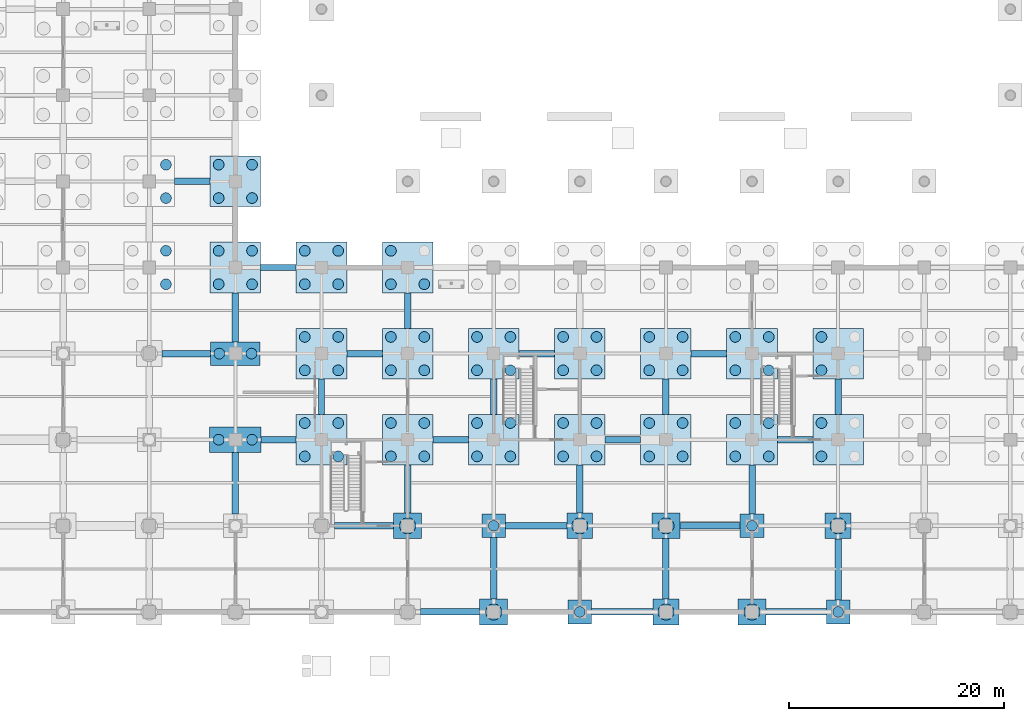
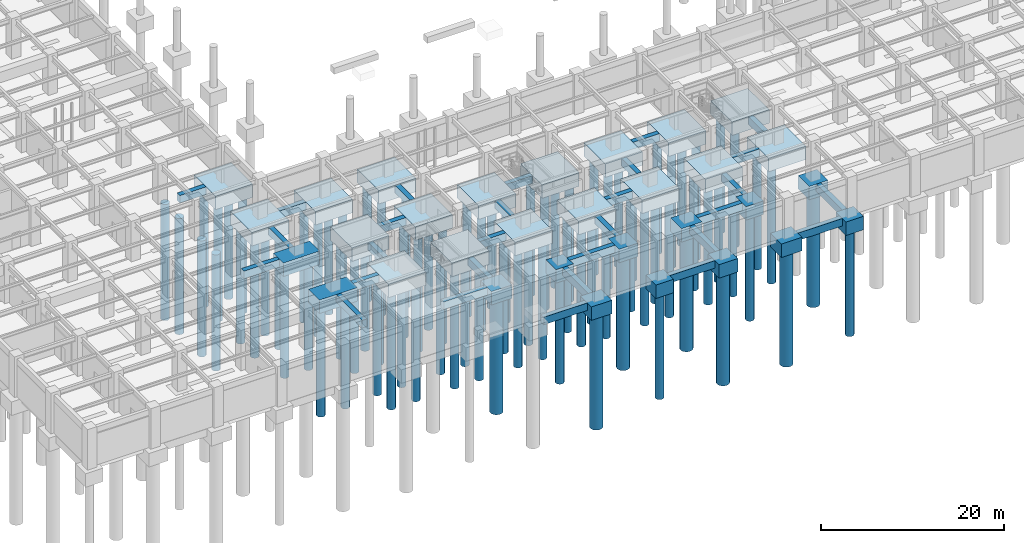
# One storey, part 3 of 97: 86 piles, 60 footings.
"""IFC4 building model written with IfcOpenShell, lengths in metres."""

from ifc_helpers import new_model, si_unit, direction, frame, origin, origin_2d, place, context, subcontext, project, spatial, rectangle, circle, extrude, material, layer, layer_set, material_profile, profile_set, type_object, element, save


model = new_model("IFC4")

# Units and contexts
model_context = context("Model", 3, precision=1e-05, world=origin(), true_north=direction((0.0, 1.0)))
body_context = subcontext(model_context, "Body", "Model", "MODEL_VIEW")
ifc_project = project(units=[si_unit("LENGTHUNIT", "METRE"), si_unit("AREAUNIT", "SQUARE_METRE"), si_unit("VOLUMEUNIT", "CUBIC_METRE"), si_unit("PLANEANGLEUNIT", "RADIAN"), si_unit("MASSUNIT", "GRAM", prefix="KILO")], contexts=[model_context])

# Site, building, storey
site_placement = place(None, origin())
site = spatial("IfcSite", under=ifc_project, at=site_placement, CompositionType="ELEMENT")
building_placement = place(site_placement, origin())
building = spatial("IfcBuilding", under=site, at=building_placement, Name="Haebicheon Civic Stadium", CompositionType="ELEMENT")
storey_placement = place(building_placement, frame((0.0, 0.0, -5.39990234375)))
storey = spatial("IfcBuildingStorey", under=building, at=storey_placement, Name="B1", CompositionType="ELEMENT", Elevation=-5.39990234375)

# Footings
ifc_material_1 = material(Name="Concrete C40/50", Category="concrete")
ifc_layer_1 = layer(ifc_material_1, 1.0, Name="Concrete C40/50")
ifc_layer_set_1 = layer_set([ifc_layer_1], Name="Concrete C40/50")
footing_type_1 = type_object("IfcFootingType", Name="FB-3250x600", PredefinedType="FOOTING_BEAM", material=ifc_layer_set_1)
footing_1_placement = place(storey_placement, frame((68.02490234375, 16.0, -1.0), z_axis=(0.0, 0.0, 1.0), x_axis=(1.0, 0.0, 0.0)))
element("IfcFooting", 1, at=footing_1_placement, inside=storey, type_object=footing_type_1, material=ifc_layer_set_1, Name="Ground tie beam X 08-02", PredefinedType="FOOTING_BEAM", context=body_context, shape_type="SweptSolid", body=[
    extrude(rectangle(XDim=3.25, YDim=0.60009765625, at=origin_2d()), origin(), (0.0, 0.0, 1.0), 1.0),
])
ifc_material_2 = material(Name="Concrete C40/50", Category="concrete")
ifc_layer_2 = layer(ifc_material_2, 1.0, Name="Concrete C40/50")
ifc_layer_set_2 = layer_set([ifc_layer_2], Name="Concrete C40/50")
footing_type_2 = type_object("IfcFootingType", Name="FB-3300x600", PredefinedType="FOOTING_BEAM", material=ifc_layer_set_2)
for number, where, z_axis, x_axis, name in (
    (2, (60.0, 40.0, -1.0), (0.0, 0.0, 1.0), (1.0, 0.0, 0.0), "Ground tie beam X 07-05"),
    (3, (68.0, 32.0, -1.0), (0.0, 0.0, 1.0), (1.0, 0.0, 0.0), "Ground tie beam X 08-04"),
    (4, (72.0, 20.0, -1.0), (0.0, 0.0, 1.0), (0.0, 1.0, 0.0), "Ground tie beam Y 09-02"),
    (5, (76.0, 24.0, -1.0), (0.0, 0.0, 1.0), (1.0, 0.0, 0.0), "Ground tie beam X 09-03"),
    (6, (84.0, 16.0, -1.0), (0.0, 0.0, 1.0), (1.0, 0.0, 0.0), "Ground tie beam X 10-02"),
    (7, (80.0, 28.0, -1.0), (0.0, 0.0, 1.0), (0.0, 1.0, 0.0), "Ground tie beam Y 10-03"),
    (8, (88.0, 20.0, -1.0), (0.0, 0.0, 1.0), (0.0, 1.0, 0.0), "Ground tie beam Y 11-02"),
    (9, (92.0, 24.0, -1.0), (0.0, 0.0, 1.0), (1.0, 0.0, 0.0), "Ground tie beam X 11-03"),
    (10, (100.0, 16.0, -1.0), (0.0, 0.0, 1.0), (1.0, 0.0, 0.0), "Ground tie beam X 12-02"),
    (11, (104.0, 20.0, -1.0), (0.0, 0.0, 1.0), (0.0, 1.0, 0.0), "Ground tie beam Y 13-02"),
    (12, (108.0, 24.0, -1.0), (0.0, 0.0, 1.0), (1.0, 0.0, 0.0), "Ground tie beam X 13-03"),
    (13, (116.0, 16.0, -1.0), (0.0, 0.0, 1.0), (1.0, 0.0, 0.0), "Ground tie beam X 14-02"),
    (14, (120.0, 20.0, -1.0), (0.0, 0.0, 1.0), (0.0, 1.0, 0.0), "Ground tie beam Y 15-02"),
):
    element("IfcFooting", number, at=place(storey_placement, frame(where, z_axis=z_axis, x_axis=x_axis)), inside=storey, type_object=footing_type_2, material=ifc_layer_set_2, Name=name, PredefinedType="FOOTING_BEAM", context=body_context, shape_type="SweptSolid", body=[
        extrude(rectangle(XDim=3.300048828125, YDim=0.60009765625, at=origin_2d()), origin(), (0.0, 0.0, 1.0), 1.0),
    ])
ifc_material_3 = material(Name="Concrete C40/50", Category="concrete")
ifc_layer_3 = layer(ifc_material_3, 1.0, Name="Concrete C40/50")
ifc_layer_set_3 = layer_set([ifc_layer_3], Name="Concrete C40/50")
footing_type_3 = type_object("IfcFootingType", Name="FB-4450x600", PredefinedType="FOOTING_BEAM", material=ifc_layer_set_3)
for number, where, z_axis, x_axis, name in (
    (15, (80.0, 11.425048828125, -1.0), (0.0, 0.0, 1.0), (0.0, 1.0, 0.0), "Ground tie beam Y 10-01"),
    (16, (96.0, 11.425048828125, -1.0), (0.0, 0.0, 1.0), (0.0, 1.0, 0.0), "Ground tie beam Y 12-01"),
):
    element("IfcFooting", number, at=place(storey_placement, frame(where, z_axis=z_axis, x_axis=x_axis)), inside=storey, type_object=footing_type_3, material=ifc_layer_set_3, Name=name, PredefinedType="FOOTING_BEAM", context=body_context, shape_type="SweptSolid", body=[
        extrude(rectangle(XDim=4.449951171875, YDim=0.60009765625, at=origin_2d()), origin(), (0.0, 0.0, 1.0), 1.0),
    ])
ifc_material_4 = material(Name="Concrete C40/50", Category="concrete")
ifc_layer_4 = layer(ifc_material_4, 1.0, Name="Concrete C40/50")
ifc_layer_set_4 = layer_set([ifc_layer_4], Name="Concrete C40/50")
footing_type_4 = type_object("IfcFootingType", Name="FB-4500x600", PredefinedType="FOOTING_BEAM", material=ifc_layer_set_4)
footing_2_placement = place(storey_placement, frame((59.449951171875, 24.0, -1.0), z_axis=(0.0, 0.0, 1.0), x_axis=(1.0, 0.0, 0.0)))
element("IfcFooting", 17, at=footing_2_placement, inside=storey, type_object=footing_type_4, material=ifc_layer_set_4, Name="Ground tie beam X 07-03", PredefinedType="FOOTING_BEAM", context=body_context, shape_type="SweptSolid", body=[
    extrude(rectangle(XDim=4.5, YDim=0.60009765625, at=origin_2d()), origin(), (0.0, 0.0, 1.0), 1.0),
])
ifc_material_5 = material(Name="Concrete C40/50", Category="concrete")
ifc_layer_5 = layer(ifc_material_5, 1.0, Name="Concrete C40/50")
ifc_layer_set_5 = layer_set([ifc_layer_5], Name="Concrete C40/50")
footing_type_5 = type_object("IfcFootingType", Name="FB-4550x600", PredefinedType="FOOTING_BEAM", material=ifc_layer_set_5)
for number, where, z_axis, x_axis, name in (
    (18, (64.0, 27.375, -1.0), (0.0, 0.0, 1.0), (0.0, 1.0, 0.0), "Ground tie beam Y 08-03"),
    (19, (112.0, 11.375, -1.0), (0.0, 0.0, 1.0), (0.0, 1.0, 0.0), "Ground tie beam Y 14-01"),
):
    element("IfcFooting", number, at=place(storey_placement, frame(where, z_axis=z_axis, x_axis=x_axis)), inside=storey, type_object=footing_type_5, material=ifc_layer_set_5, Name=name, PredefinedType="FOOTING_BEAM", context=body_context, shape_type="SweptSolid", body=[
        extrude(rectangle(XDim=4.550048828125, YDim=0.60009765625, at=origin_2d()), origin(), (0.0, 0.0, 1.0), 1.0),
    ])
ifc_material_6 = material(Name="Concrete C40/50", Category="concrete")
ifc_layer_6 = layer(ifc_material_6, 1.0, Name="Concrete C40/50")
ifc_layer_set_6 = layer_set([ifc_layer_6], Name="Concrete C40/50")
footing_type_6 = type_object("IfcFootingType", Name="FB-5500x600", PredefinedType="FOOTING_BEAM", material=ifc_layer_set_6)
for number, where, z_axis, x_axis, name in (
    (20, (75.949951171875, 8.0, -1.0), (0.0, 0.0, 1.0), (1.0, 0.0, 0.0), "Ground tie beam X 09-01"),
    (21, (83.949951171875, 0.0, -1.0), (0.0, 0.0, 1.0), (1.0, 0.0, 0.0), "Ground tie beam X 10-00"),
):
    element("IfcFooting", number, at=place(storey_placement, frame(where, z_axis=z_axis, x_axis=x_axis)), inside=storey, type_object=footing_type_6, material=ifc_layer_set_6, Name=name, PredefinedType="FOOTING_BEAM", context=body_context, shape_type="SweptSolid", body=[
        extrude(rectangle(XDim=5.5, YDim=0.60009765625, at=origin_2d()), origin(), (0.0, 0.0, 1.0), 1.0),
    ])
ifc_material_7 = material(Name="Concrete C40/50", Category="concrete")
ifc_layer_7 = layer(ifc_material_7, 1.0, Name="Concrete C40/50")
ifc_layer_set_7 = layer_set([ifc_layer_7], Name="Concrete C40/50")
footing_type_7 = type_object("IfcFootingType", Name="FB-5600x600", PredefinedType="FOOTING_BEAM", material=ifc_layer_set_7)
for number, where, z_axis, x_axis, name in (
    (22, (104.0, 4.0, -1.0), (0.0, 0.0, 1.0), (0.0, 1.0, 0.0), "Ground tie beam Y 13-00"),
    (23, (108.10009765625, 8.0, -1.0), (0.0, 0.0, 1.0), (1.0, 0.0, 0.0), "Ground tie beam X 13-01"),
    (24, (116.10009765625, 0.0, -1.0), (0.0, 0.0, 1.0), (1.0, 0.0, 0.0), "Ground tie beam X 14-00"),
):
    element("IfcFooting", number, at=place(storey_placement, frame(where, z_axis=z_axis, x_axis=x_axis)), inside=storey, type_object=footing_type_7, material=ifc_layer_set_7, Name=name, PredefinedType="FOOTING_BEAM", context=body_context, shape_type="SweptSolid", body=[
        extrude(rectangle(XDim=5.60009765625, YDim=0.60009765625, at=origin_2d()), origin(), (0.0, 0.0, 1.0), 1.0),
    ])
ifc_material_8 = material(Name="Concrete C40/50", Category="concrete")
ifc_layer_8 = layer(ifc_material_8, 1.0, Name="Concrete C40/50")
ifc_layer_set_8 = layer_set([ifc_layer_8], Name="Concrete C40/50")
footing_type_8 = type_object("IfcFootingType", Name="FB-5700x600", PredefinedType="FOOTING_BEAM", material=ifc_layer_set_8)
for number, where, z_axis, x_axis, name in (
    (25, (64.0, 11.949951171875, -1.0), (0.0, 0.0, 1.0), (0.0, 1.0, 0.0), "Ground tie beam Y 08-01"),
    (26, (88.0, 4.050048828125, -1.0), (0.0, 0.0, 1.0), (0.0, 1.0, 0.0), "Ground tie beam Y 11-00"),
    (27, (91.949951171875, 8.0, -1.0), (0.0, 0.0, 1.0), (1.0, 0.0, 0.0), "Ground tie beam X 11-01"),
    (28, (99.949951171875, 0.0, -1.0), (0.0, 0.0, 1.0), (1.0, 0.0, 0.0), "Ground tie beam X 12-00"),
    (29, (120.0, 3.949951171875, -1.0), (0.0, 0.0, 1.0), (0.0, 1.0, 0.0), "Ground tie beam Y 15-00"),
):
    element("IfcFooting", number, at=place(storey_placement, frame(where, z_axis=z_axis, x_axis=x_axis)), inside=storey, type_object=footing_type_8, material=ifc_layer_set_8, Name=name, PredefinedType="FOOTING_BEAM", context=body_context, shape_type="SweptSolid", body=[
        extrude(rectangle(XDim=5.699951171875, YDim=0.60009765625, at=origin_2d()), origin(), (0.0, 0.0, 1.0), 1.0),
    ])
ifc_material_9 = material(Name="Concrete C40/50", Category="concrete")
ifc_layer_9 = layer(ifc_material_9, 1.800048828125, Name="Concrete C40/50")
ifc_layer_set_9 = layer_set([ifc_layer_9], Name="Concrete C40/50")
footing_type_9 = type_object("IfcFootingType", Name="PC-1P-2200", PredefinedType="PILE_CAP", material=ifc_layer_set_9)
for number, where, z_axis, x_axis, name in (
    (30, (88.0, 8.0, -1.80029296875), (0.0, 0.0, 1.0), (1.0, 0.0, 0.0), "Pile cap FT-PC-11-01"),
    (31, (96.0, 0.0, -1.80029296875), (0.0, 0.0, 1.0), (1.0, 0.0, 0.0), "Pile cap FT-PC-12-00"),
    (32, (112.0, 8.0, -1.80029296875), (0.0, 0.0, 1.0), (1.0, 0.0, 0.0), "Pile cap FT-PC-14-01"),
    (33, (120.0, 0.0, -1.80029296875), (0.0, 0.0, 1.0), (1.0, 0.0, 0.0), "Pile cap FT-PC-15-00"),
):
    element("IfcFooting", number, at=place(storey_placement, frame(where, z_axis=z_axis, x_axis=x_axis)), inside=storey, type_object=footing_type_9, material=ifc_layer_set_9, Name=name, PredefinedType="PILE_CAP", context=body_context, shape_type="SweptSolid", body=[
        extrude(rectangle(XDim=2.199951171875, YDim=2.199951171875, at=origin_2d()), origin(), (0.0, 0.0, 1.0), 1.800048828125),
    ])
ifc_material_10 = material(Name="Concrete C40/50", Category="concrete")
ifc_layer_10 = layer(ifc_material_10, 1.800048828125, Name="Concrete C40/50")
ifc_layer_set_10 = layer_set([ifc_layer_10], Name="Concrete C40/50")
footing_type_10 = type_object("IfcFootingType", Name="PC-1P-2400", PredefinedType="PILE_CAP", material=ifc_layer_set_10)
for number, where, z_axis, x_axis, name in (
    (34, (96.0, 8.0, -1.80029296875), (0.0, 0.0, 1.0), (1.0, 0.0, 0.0), "Pile cap FT-PC-12-01"),
    (35, (104.0, 0.0, -1.80029296875), (0.0, 0.0, 1.0), (1.0, 0.0, 0.0), "Pile cap FT-PC-13-00"),
    (36, (120.0, 8.0, -1.80029296875), (0.0, 0.0, 1.0), (1.0, 0.0, 0.0), "Pile cap FT-PC-15-01"),
):
    element("IfcFooting", number, at=place(storey_placement, frame(where, z_axis=z_axis, x_axis=x_axis)), inside=storey, type_object=footing_type_10, material=ifc_layer_set_10, Name=name, PredefinedType="PILE_CAP", context=body_context, shape_type="SweptSolid", body=[
        extrude(rectangle(XDim=2.39990234375, YDim=2.39990234375, at=origin_2d()), origin(), (0.0, 0.0, 1.0), 1.800048828125),
    ])
ifc_material_11 = material(Name="Concrete C40/50", Category="concrete")
ifc_layer_11 = layer(ifc_material_11, 1.800048828125, Name="Concrete C40/50")
ifc_layer_set_11 = layer_set([ifc_layer_11], Name="Concrete C40/50")
footing_type_11 = type_object("IfcFootingType", Name="PC-1P-2600", PredefinedType="PILE_CAP", material=ifc_layer_set_11)
for number, where, z_axis, x_axis, name in (
    (37, (80.0, 8.0, -1.80029296875), (0.0, 0.0, 1.0), (1.0, 0.0, 0.0), "Pile cap FT-PC-10-01"),
    (38, (88.0, 0.0, -1.80029296875), (0.0, 0.0, 1.0), (1.0, 0.0, 0.0), "Pile cap FT-PC-11-00"),
    (39, (104.0, 8.0, -1.80029296875), (0.0, 0.0, 1.0), (1.0, 0.0, 0.0), "Pile cap FT-PC-13-01"),
    (40, (112.0, 0.0, -1.80029296875), (0.0, 0.0, 1.0), (1.0, 0.0, 0.0), "Pile cap FT-PC-14-00"),
):
    element("IfcFooting", number, at=place(storey_placement, frame(where, z_axis=z_axis, x_axis=x_axis)), inside=storey, type_object=footing_type_11, material=ifc_layer_set_11, Name=name, PredefinedType="PILE_CAP", context=body_context, shape_type="SweptSolid", body=[
        extrude(rectangle(XDim=2.60009765625, YDim=2.39990234375, at=origin_2d()), origin(), (0.0, 0.0, 1.0), 1.800048828125),
    ])
ifc_material_12 = material(Name="Concrete C40/50", Category="concrete")
ifc_layer_12 = layer(ifc_material_12, 1.800048828125, Name="Concrete C40/50")
ifc_layer_set_12 = layer_set([ifc_layer_12], Name="Concrete C40/50")
footing_type_12 = type_object("IfcFootingType", Name="PC-2P-4600", PredefinedType="PILE_CAP", material=ifc_layer_set_12)
footing_3_placement = place(storey_placement, frame((64.0, 24.0, -1.80029296875), z_axis=(0.0, 0.0, 1.0), x_axis=(1.0, 0.0, 0.0)))
element("IfcFooting", 41, at=footing_3_placement, inside=storey, type_object=footing_type_12, material=ifc_layer_set_12, Name="Pile cap FT-PC-08-03", PredefinedType="PILE_CAP", context=body_context, shape_type="SweptSolid", body=[
    extrude(rectangle(XDim=4.60009765625, YDim=2.199951171875, at=origin_2d()), origin(), (0.0, 0.0, 1.0), 1.800048828125),
])
ifc_material_13 = material(Name="Concrete C40/50", Category="concrete")
ifc_layer_13 = layer(ifc_material_13, 1.800048828125, Name="Concrete C40/50")
ifc_layer_set_13 = layer_set([ifc_layer_13], Name="Concrete C40/50")
footing_type_13 = type_object("IfcFootingType", Name="PC-2P-4800", PredefinedType="PILE_CAP", material=ifc_layer_set_13)
footing_4_placement = place(storey_placement, frame((64.0, 16.0, -1.80029296875), z_axis=(0.0, 0.0, 1.0), x_axis=(1.0, 0.0, 0.0)))
element("IfcFooting", 42, at=footing_4_placement, inside=storey, type_object=footing_type_13, material=ifc_layer_set_13, Name="Pile cap FT-PC-08-02", PredefinedType="PILE_CAP", context=body_context, shape_type="SweptSolid", body=[
    extrude(rectangle(XDim=4.800048828125, YDim=2.39990234375, at=origin_2d()), origin(), (0.0, 0.0, 1.0), 1.800048828125),
])
ifc_material_14 = material(Name="Concrete C40/50", Category="concrete")
ifc_layer_14 = layer(ifc_material_14, 1.800048828125, Name="Concrete C40/50")
ifc_layer_set_14 = layer_set([ifc_layer_14], Name="Concrete C40/50")
footing_type_14 = type_object("IfcFootingType", Name="PC-4P-4700", PredefinedType="PILE_CAP", material=ifc_layer_set_14)
for number, where, z_axis, x_axis, name in (
    (43, (64.0, 32.0, -1.80029296875), (0.0, 0.0, 1.0), (1.0, 0.0, 0.0), "Pile cap FT-PC-08-04"),
    (44, (64.0, 40.0, -1.80029296875), (0.0, 0.0, 1.0), (1.0, 0.0, 0.0), "Pile cap FT-PC-08-05"),
    (45, (72.0, 16.0, -1.80029296875), (0.0, 0.0, 1.0), (1.0, 0.0, 0.0), "Pile cap FT-PC-09-02"),
    (46, (72.0, 24.0, -1.80029296875), (0.0, 0.0, 1.0), (1.0, 0.0, 0.0), "Pile cap FT-PC-09-03"),
    (47, (72.0, 32.0, -1.80029296875), (0.0, 0.0, 1.0), (1.0, 0.0, 0.0), "Pile cap FT-PC-09-04"),
    (48, (80.0, 16.0, -1.80029296875), (0.0, 0.0, 1.0), (1.0, 0.0, 0.0), "Pile cap FT-PC-10-02"),
    (49, (80.0, 24.0, -1.80029296875), (0.0, 0.0, 1.0), (1.0, 0.0, 0.0), "Pile cap FT-PC-10-03"),
    (50, (80.0, 32.0, -1.80029296875), (0.0, 0.0, 1.0), (1.0, 0.0, 0.0), "Pile cap FT-PC-10-04"),
    (51, (88.0, 16.0, -1.80029296875), (0.0, 0.0, 1.0), (1.0, 0.0, 0.0), "Pile cap FT-PC-11-02"),
    (52, (88.0, 24.0, -1.80029296875), (0.0, 0.0, 1.0), (1.0, 0.0, 0.0), "Pile cap FT-PC-11-03"),
    (53, (96.0, 16.0, -1.80029296875), (0.0, 0.0, 1.0), (1.0, 0.0, 0.0), "Pile cap FT-PC-12-02"),
    (54, (96.0, 24.0, -1.80029296875), (0.0, 0.0, 1.0), (1.0, 0.0, 0.0), "Pile cap FT-PC-12-03"),
    (55, (104.0, 16.0, -1.80029296875), (0.0, 0.0, 1.0), (1.0, 0.0, 0.0), "Pile cap FT-PC-13-02"),
    (56, (104.0, 24.0, -1.80029296875), (0.0, 0.0, 1.0), (1.0, 0.0, 0.0), "Pile cap FT-PC-13-03"),
    (57, (112.0, 16.0, -1.80029296875), (0.0, 0.0, 1.0), (1.0, 0.0, 0.0), "Pile cap FT-PC-14-02"),
    (58, (112.0, 24.0, -1.80029296875), (0.0, 0.0, 1.0), (1.0, 0.0, 0.0), "Pile cap FT-PC-14-03"),
    (59, (120.0, 16.0, -1.80029296875), (0.0, 0.0, 1.0), (1.0, 0.0, 0.0), "Pile cap FT-PC-15-02"),
    (60, (120.0, 24.0, -1.80029296875), (0.0, 0.0, 1.0), (1.0, 0.0, 0.0), "Pile cap FT-PC-15-03"),
):
    element("IfcFooting", number, at=place(storey_placement, frame(where, z_axis=z_axis, x_axis=x_axis)), inside=storey, type_object=footing_type_14, material=ifc_layer_set_14, Name=name, PredefinedType="PILE_CAP", context=body_context, shape_type="SweptSolid", body=[
        extrude(rectangle(XDim=4.699951171875, YDim=4.699951171875, at=origin_2d()), origin(), (0.0, 0.0, 1.0), 1.800048828125),
    ])

# Piles
ifc_material_15 = material(Name="Concrete C40/50", Category="concrete")
ifc_material_profile_1 = material_profile(ifc_material_15, circle(Radius=0.5, at=origin_2d()), Name="PILE-D1000")
ifc_profile_set_1 = profile_set([ifc_material_profile_1], Name="Concrete C40/50")
pile_type_1 = type_object("IfcPileType", Name="PL-D1000", PredefinedType="BORED", material=ifc_profile_set_1)
for number, where, z_axis, x_axis, name in (
    (61, (57.550048828125, 30.449951171875, -1.7001953125), (0.0, 0.0, -1.0), (1.0, 0.0, 0.0), "Bored pile 07-04-2"),
    (62, (57.550048828125, 33.550048828125, -1.7001953125), (0.0, 0.0, -1.0), (1.0, 0.0, 0.0), "Bored pile 07-04-4"),
    (63, (57.550048828125, 38.449951171875, -1.7001953125), (0.0, 0.0, -1.0), (1.0, 0.0, 0.0), "Bored pile 07-05-2"),
    (64, (57.550048828125, 41.550048828125, -1.7001953125), (0.0, 0.0, -1.0), (1.0, 0.0, 0.0), "Bored pile 07-05-4"),
):
    element("IfcPile", number, at=place(storey_placement, frame(where, z_axis=z_axis, x_axis=x_axis)), inside=storey, type_object=pile_type_1, material=ifc_profile_set_1, Name=name, PredefinedType="BORED", context=body_context, shape_type="SweptSolid", body=[
        extrude(circle(Radius=0.5, at=origin_2d()), origin(), (0.0, 0.0, 1.0), 15.5),
    ])
for number, where, z_axis, x_axis, name in (
    (65, (62.449951171875, 16.0, -1.7001953125), (0.0, 0.0, -1.0), (1.0, 0.0, 0.0), "Bored pile 08-02-1"),
    (66, (65.550048828125, 16.0, -1.7001953125), (0.0, 0.0, -1.0), (1.0, 0.0, 0.0), "Bored pile 08-02-2"),
):
    element("IfcPile", number, at=place(storey_placement, frame(where, z_axis=z_axis, x_axis=x_axis)), inside=storey, type_object=pile_type_1, material=ifc_profile_set_1, Name=name, PredefinedType="BORED", context=body_context, shape_type="SweptSolid", body=[
        extrude(circle(Radius=0.5, at=origin_2d()), origin(), (0.0, 0.0, 1.0), 14.60009765625),
    ])
for number, where, z_axis, x_axis, name in (
    (67, (62.5, 24.0, -1.7001953125), (0.0, 0.0, -1.0), (1.0, 0.0, 0.0), "Bored pile 08-03-1"),
    (68, (65.5, 24.0, -1.7001953125), (0.0, 0.0, -1.0), (1.0, 0.0, 0.0), "Bored pile 08-03-2"),
):
    element("IfcPile", number, at=place(storey_placement, frame(where, z_axis=z_axis, x_axis=x_axis)), inside=storey, type_object=pile_type_1, material=ifc_profile_set_1, Name=name, PredefinedType="BORED", context=body_context, shape_type="SweptSolid", body=[
        extrude(circle(Radius=0.5, at=origin_2d()), origin(), (0.0, 0.0, 1.0), 14.300048828125),
    ])
for number, where, z_axis, x_axis, name in (
    (69, (62.449951171875, 30.449951171875, -1.7001953125), (0.0, 0.0, -1.0), (1.0, 0.0, 0.0), "Bored pile 08-04-1"),
    (70, (65.550048828125, 30.449951171875, -1.7001953125), (0.0, 0.0, -1.0), (1.0, 0.0, 0.0), "Bored pile 08-04-2"),
    (71, (62.449951171875, 33.550048828125, -1.7001953125), (0.0, 0.0, -1.0), (1.0, 0.0, 0.0), "Bored pile 08-04-3"),
    (72, (65.550048828125, 33.550048828125, -1.7001953125), (0.0, 0.0, -1.0), (1.0, 0.0, 0.0), "Bored pile 08-04-4"),
    (73, (62.449951171875, 38.449951171875, -1.7001953125), (0.0, 0.0, -1.0), (1.0, 0.0, 0.0), "Bored pile 08-05-1"),
    (74, (65.550048828125, 38.449951171875, -1.7001953125), (0.0, 0.0, -1.0), (1.0, 0.0, 0.0), "Bored pile 08-05-2"),
    (75, (62.449951171875, 41.550048828125, -1.7001953125), (0.0, 0.0, -1.0), (1.0, 0.0, 0.0), "Bored pile 08-05-3"),
    (76, (65.550048828125, 41.550048828125, -1.7001953125), (0.0, 0.0, -1.0), (1.0, 0.0, 0.0), "Bored pile 08-05-4"),
    (77, (70.449951171875, 14.449951171875, -1.7001953125), (0.0, 0.0, -1.0), (1.0, 0.0, 0.0), "Bored pile 09-02-1"),
    (78, (73.550048828125, 14.449951171875, -1.7001953125), (0.0, 0.0, -1.0), (1.0, 0.0, 0.0), "Bored pile 09-02-2"),
    (79, (70.449951171875, 17.550048828125, -1.7001953125), (0.0, 0.0, -1.0), (1.0, 0.0, 0.0), "Bored pile 09-02-3"),
    (80, (73.550048828125, 17.550048828125, -1.7001953125), (0.0, 0.0, -1.0), (1.0, 0.0, 0.0), "Bored pile 09-02-4"),
    (81, (70.449951171875, 22.449951171875, -1.7001953125), (0.0, 0.0, -1.0), (1.0, 0.0, 0.0), "Bored pile 09-03-1"),
    (82, (73.550048828125, 22.449951171875, -1.7001953125), (0.0, 0.0, -1.0), (1.0, 0.0, 0.0), "Bored pile 09-03-2"),
    (83, (70.449951171875, 25.550048828125, -1.7001953125), (0.0, 0.0, -1.0), (1.0, 0.0, 0.0), "Bored pile 09-03-3"),
    (84, (73.550048828125, 25.550048828125, -1.7001953125), (0.0, 0.0, -1.0), (1.0, 0.0, 0.0), "Bored pile 09-03-4"),
    (85, (70.449951171875, 30.449951171875, -1.7001953125), (0.0, 0.0, -1.0), (1.0, 0.0, 0.0), "Bored pile 09-04-1"),
    (86, (73.550048828125, 30.449951171875, -1.7001953125), (0.0, 0.0, -1.0), (1.0, 0.0, 0.0), "Bored pile 09-04-2"),
    (87, (70.449951171875, 33.550048828125, -1.7001953125), (0.0, 0.0, -1.0), (1.0, 0.0, 0.0), "Bored pile 09-04-3"),
    (88, (73.550048828125, 33.550048828125, -1.7001953125), (0.0, 0.0, -1.0), (1.0, 0.0, 0.0), "Bored pile 09-04-4"),
    (89, (78.449951171875, 14.449951171875, -1.7001953125), (0.0, 0.0, -1.0), (1.0, 0.0, 0.0), "Bored pile 10-02-1"),
    (90, (81.550048828125, 14.449951171875, -1.7001953125), (0.0, 0.0, -1.0), (1.0, 0.0, 0.0), "Bored pile 10-02-2"),
    (91, (78.449951171875, 17.550048828125, -1.7001953125), (0.0, 0.0, -1.0), (1.0, 0.0, 0.0), "Bored pile 10-02-3"),
    (92, (81.550048828125, 17.550048828125, -1.7001953125), (0.0, 0.0, -1.0), (1.0, 0.0, 0.0), "Bored pile 10-02-4"),
    (93, (78.449951171875, 22.449951171875, -1.7001953125), (0.0, 0.0, -1.0), (1.0, 0.0, 0.0), "Bored pile 10-03-1"),
    (94, (81.550048828125, 22.449951171875, -1.7001953125), (0.0, 0.0, -1.0), (1.0, 0.0, 0.0), "Bored pile 10-03-2"),
    (95, (78.449951171875, 25.550048828125, -1.7001953125), (0.0, 0.0, -1.0), (1.0, 0.0, 0.0), "Bored pile 10-03-3"),
    (96, (81.550048828125, 25.550048828125, -1.7001953125), (0.0, 0.0, -1.0), (1.0, 0.0, 0.0), "Bored pile 10-03-4"),
    (97, (78.449951171875, 30.449951171875, -1.7001953125), (0.0, 0.0, -1.0), (1.0, 0.0, 0.0), "Bored pile 10-04-1"),
    (98, (81.550048828125, 30.449951171875, -1.7001953125), (0.0, 0.0, -1.0), (1.0, 0.0, 0.0), "Bored pile 10-04-2"),
    (99, (78.449951171875, 33.550048828125, -1.7001953125), (0.0, 0.0, -1.0), (1.0, 0.0, 0.0), "Bored pile 10-04-3"),
):
    element("IfcPile", number, at=place(storey_placement, frame(where, z_axis=z_axis, x_axis=x_axis)), inside=storey, type_object=pile_type_1, material=ifc_profile_set_1, Name=name, PredefinedType="BORED", context=body_context, shape_type="SweptSolid", body=[
        extrude(circle(Radius=0.5, at=origin_2d()), origin(), (0.0, 0.0, 1.0), 15.5),
    ])
pile_1_placement = place(storey_placement, frame((88.0, 8.0, -1.7001953125), z_axis=(0.0, 0.0, -1.0), x_axis=(1.0, 0.0, 0.0)))
element("IfcPile", 100, at=pile_1_placement, inside=storey, type_object=pile_type_1, material=ifc_profile_set_1, Name="Bored pile 11-01-1", PredefinedType="BORED", context=body_context, shape_type="SweptSolid", body=[
    extrude(circle(Radius=0.5, at=origin_2d()), origin(), (0.0, 0.0, 1.0), 14.300048828125),
])
for number, where, z_axis, x_axis, name in (
    (101, (86.449951171875, 14.449951171875, -1.7001953125), (0.0, 0.0, -1.0), (1.0, 0.0, 0.0), "Bored pile 11-02-1"),
    (102, (89.550048828125, 14.449951171875, -1.7001953125), (0.0, 0.0, -1.0), (1.0, 0.0, 0.0), "Bored pile 11-02-2"),
    (103, (86.449951171875, 17.550048828125, -1.7001953125), (0.0, 0.0, -1.0), (1.0, 0.0, 0.0), "Bored pile 11-02-3"),
    (104, (89.550048828125, 17.550048828125, -1.7001953125), (0.0, 0.0, -1.0), (1.0, 0.0, 0.0), "Bored pile 11-02-4"),
    (105, (86.449951171875, 22.449951171875, -1.7001953125), (0.0, 0.0, -1.0), (1.0, 0.0, 0.0), "Bored pile 11-03-1"),
    (106, (89.550048828125, 22.449951171875, -1.7001953125), (0.0, 0.0, -1.0), (1.0, 0.0, 0.0), "Bored pile 11-03-2"),
    (107, (86.449951171875, 25.550048828125, -1.7001953125), (0.0, 0.0, -1.0), (1.0, 0.0, 0.0), "Bored pile 11-03-3"),
    (108, (89.550048828125, 25.550048828125, -1.7001953125), (0.0, 0.0, -1.0), (1.0, 0.0, 0.0), "Bored pile 11-03-4"),
):
    element("IfcPile", number, at=place(storey_placement, frame(where, z_axis=z_axis, x_axis=x_axis)), inside=storey, type_object=pile_type_1, material=ifc_profile_set_1, Name=name, PredefinedType="BORED", context=body_context, shape_type="SweptSolid", body=[
        extrude(circle(Radius=0.5, at=origin_2d()), origin(), (0.0, 0.0, 1.0), 15.5),
    ])
pile_2_placement = place(storey_placement, frame((96.0, 0.0, -1.7001953125), z_axis=(0.0, 0.0, -1.0), x_axis=(1.0, 0.0, 0.0)))
element("IfcPile", 109, at=pile_2_placement, inside=storey, type_object=pile_type_1, material=ifc_profile_set_1, Name="Bored pile 12-00-1", PredefinedType="BORED", context=body_context, shape_type="SweptSolid", body=[
    extrude(circle(Radius=0.5, at=origin_2d()), origin(), (0.0, 0.0, 1.0), 14.300048828125),
])
for number, where, z_axis, x_axis, name in (
    (110, (94.449951171875, 14.449951171875, -1.7001953125), (0.0, 0.0, -1.0), (1.0, 0.0, 0.0), "Bored pile 12-02-1"),
    (111, (97.550048828125, 14.449951171875, -1.7001953125), (0.0, 0.0, -1.0), (1.0, 0.0, 0.0), "Bored pile 12-02-2"),
    (112, (94.449951171875, 17.550048828125, -1.7001953125), (0.0, 0.0, -1.0), (1.0, 0.0, 0.0), "Bored pile 12-02-3"),
    (113, (97.550048828125, 17.550048828125, -1.7001953125), (0.0, 0.0, -1.0), (1.0, 0.0, 0.0), "Bored pile 12-02-4"),
    (114, (94.449951171875, 22.449951171875, -1.7001953125), (0.0, 0.0, -1.0), (1.0, 0.0, 0.0), "Bored pile 12-03-1"),
    (115, (97.550048828125, 22.449951171875, -1.7001953125), (0.0, 0.0, -1.0), (1.0, 0.0, 0.0), "Bored pile 12-03-2"),
    (116, (94.449951171875, 25.550048828125, -1.7001953125), (0.0, 0.0, -1.0), (1.0, 0.0, 0.0), "Bored pile 12-03-3"),
    (117, (97.550048828125, 25.550048828125, -1.7001953125), (0.0, 0.0, -1.0), (1.0, 0.0, 0.0), "Bored pile 12-03-4"),
    (118, (102.449951171875, 14.449951171875, -1.7001953125), (0.0, 0.0, -1.0), (1.0, 0.0, 0.0), "Bored pile 13-02-1"),
    (119, (105.550048828125, 14.449951171875, -1.7001953125), (0.0, 0.0, -1.0), (1.0, 0.0, 0.0), "Bored pile 13-02-2"),
    (120, (102.449951171875, 17.550048828125, -1.7001953125), (0.0, 0.0, -1.0), (1.0, 0.0, 0.0), "Bored pile 13-02-3"),
    (121, (105.550048828125, 17.550048828125, -1.7001953125), (0.0, 0.0, -1.0), (1.0, 0.0, 0.0), "Bored pile 13-02-4"),
    (122, (102.449951171875, 22.449951171875, -1.7001953125), (0.0, 0.0, -1.0), (1.0, 0.0, 0.0), "Bored pile 13-03-1"),
    (123, (105.550048828125, 22.449951171875, -1.7001953125), (0.0, 0.0, -1.0), (1.0, 0.0, 0.0), "Bored pile 13-03-2"),
    (124, (102.449951171875, 25.550048828125, -1.7001953125), (0.0, 0.0, -1.0), (1.0, 0.0, 0.0), "Bored pile 13-03-3"),
    (125, (105.550048828125, 25.550048828125, -1.7001953125), (0.0, 0.0, -1.0), (1.0, 0.0, 0.0), "Bored pile 13-03-4"),
):
    element("IfcPile", number, at=place(storey_placement, frame(where, z_axis=z_axis, x_axis=x_axis)), inside=storey, type_object=pile_type_1, material=ifc_profile_set_1, Name=name, PredefinedType="BORED", context=body_context, shape_type="SweptSolid", body=[
        extrude(circle(Radius=0.5, at=origin_2d()), origin(), (0.0, 0.0, 1.0), 15.5),
    ])
pile_3_placement = place(storey_placement, frame((112.0, 8.0, -1.7001953125), z_axis=(0.0, 0.0, -1.0), x_axis=(1.0, 0.0, 0.0)))
element("IfcPile", 126, at=pile_3_placement, inside=storey, type_object=pile_type_1, material=ifc_profile_set_1, Name="Bored pile 14-01-1", PredefinedType="BORED", context=body_context, shape_type="SweptSolid", body=[
    extrude(circle(Radius=0.5, at=origin_2d()), origin(), (0.0, 0.0, 1.0), 14.300048828125),
])
for number, where, z_axis, x_axis, name in (
    (127, (110.449951171875, 14.449951171875, -1.7001953125), (0.0, 0.0, -1.0), (1.0, 0.0, 0.0), "Bored pile 14-02-1"),
    (128, (113.550048828125, 14.449951171875, -1.7001953125), (0.0, 0.0, -1.0), (1.0, 0.0, 0.0), "Bored pile 14-02-2"),
    (129, (110.449951171875, 17.550048828125, -1.7001953125), (0.0, 0.0, -1.0), (1.0, 0.0, 0.0), "Bored pile 14-02-3"),
    (130, (113.550048828125, 17.550048828125, -1.7001953125), (0.0, 0.0, -1.0), (1.0, 0.0, 0.0), "Bored pile 14-02-4"),
    (131, (110.449951171875, 22.449951171875, -1.7001953125), (0.0, 0.0, -1.0), (1.0, 0.0, 0.0), "Bored pile 14-03-1"),
    (132, (113.550048828125, 22.449951171875, -1.7001953125), (0.0, 0.0, -1.0), (1.0, 0.0, 0.0), "Bored pile 14-03-2"),
    (133, (110.449951171875, 25.550048828125, -1.7001953125), (0.0, 0.0, -1.0), (1.0, 0.0, 0.0), "Bored pile 14-03-3"),
    (134, (113.550048828125, 25.550048828125, -1.7001953125), (0.0, 0.0, -1.0), (1.0, 0.0, 0.0), "Bored pile 14-03-4"),
):
    element("IfcPile", number, at=place(storey_placement, frame(where, z_axis=z_axis, x_axis=x_axis)), inside=storey, type_object=pile_type_1, material=ifc_profile_set_1, Name=name, PredefinedType="BORED", context=body_context, shape_type="SweptSolid", body=[
        extrude(circle(Radius=0.5, at=origin_2d()), origin(), (0.0, 0.0, 1.0), 15.5),
    ])
pile_4_placement = place(storey_placement, frame((120.0, 0.0, -1.7001953125), z_axis=(0.0, 0.0, -1.0), x_axis=(1.0, 0.0, 0.0)))
element("IfcPile", 135, at=pile_4_placement, inside=storey, type_object=pile_type_1, material=ifc_profile_set_1, Name="Bored pile 15-00-1", PredefinedType="BORED", context=body_context, shape_type="SweptSolid", body=[
    extrude(circle(Radius=0.5, at=origin_2d()), origin(), (0.0, 0.0, 1.0), 14.300048828125),
])
for number, where, z_axis, x_axis, name in (
    (136, (118.449951171875, 14.449951171875, -1.7001953125), (0.0, 0.0, -1.0), (1.0, 0.0, 0.0), "Bored pile 15-02-1"),
    (137, (118.449951171875, 17.550048828125, -1.7001953125), (0.0, 0.0, -1.0), (1.0, 0.0, 0.0), "Bored pile 15-02-3"),
    (138, (118.449951171875, 22.449951171875, -1.7001953125), (0.0, 0.0, -1.0), (1.0, 0.0, 0.0), "Bored pile 15-03-1"),
    (139, (118.449951171875, 25.550048828125, -1.7001953125), (0.0, 0.0, -1.0), (1.0, 0.0, 0.0), "Bored pile 15-03-3"),
):
    element("IfcPile", number, at=place(storey_placement, frame(where, z_axis=z_axis, x_axis=x_axis)), inside=storey, type_object=pile_type_1, material=ifc_profile_set_1, Name=name, PredefinedType="BORED", context=body_context, shape_type="SweptSolid", body=[
        extrude(circle(Radius=0.5, at=origin_2d()), origin(), (0.0, 0.0, 1.0), 15.5),
    ])
ifc_material_16 = material(Name="Concrete C40/50", Category="concrete")
ifc_material_profile_2 = material_profile(ifc_material_16, circle(Radius=0.75, at=origin_2d()), Name="PILE-D1500")
ifc_profile_set_2 = profile_set([ifc_material_profile_2], Name="Concrete C40/50")
pile_type_2 = type_object("IfcPileType", Name="PL-D1500", PredefinedType="BORED", material=ifc_profile_set_2)
for number, where, z_axis, x_axis, name in (
    (140, (80.0, 8.0, -1.7001953125), (0.0, 0.0, -1.0), (1.0, 0.0, 0.0), "Bored pile 10-01-1"),
    (141, (88.0, 0.0, -1.7001953125), (0.0, 0.0, -1.0), (1.0, 0.0, 0.0), "Bored pile 11-00-1"),
):
    element("IfcPile", number, at=place(storey_placement, frame(where, z_axis=z_axis, x_axis=x_axis)), inside=storey, type_object=pile_type_2, material=ifc_profile_set_2, Name=name, PredefinedType="BORED", context=body_context, shape_type="SweptSolid", body=[
        extrude(circle(Radius=0.75, at=origin_2d()), origin(), (0.0, 0.0, 1.0), 15.39990234375),
    ])
for number, where, z_axis, x_axis, name in (
    (142, (96.0, 8.0, -1.7001953125), (0.0, 0.0, -1.0), (1.0, 0.0, 0.0), "Bored pile 12-01-1"),
    (143, (104.0, 0.0, -1.7001953125), (0.0, 0.0, -1.0), (1.0, 0.0, 0.0), "Bored pile 13-00-1"),
):
    element("IfcPile", number, at=place(storey_placement, frame(where, z_axis=z_axis, x_axis=x_axis)), inside=storey, type_object=pile_type_2, material=ifc_profile_set_2, Name=name, PredefinedType="BORED", context=body_context, shape_type="SweptSolid", body=[
        extrude(circle(Radius=0.75, at=origin_2d()), origin(), (0.0, 0.0, 1.0), 15.10009765625),
    ])
for number, where, z_axis, x_axis, name in (
    (144, (104.0, 8.0, -1.7001953125), (0.0, 0.0, -1.0), (1.0, 0.0, 0.0), "Bored pile 13-01-1"),
    (145, (112.0, 0.0, -1.7001953125), (0.0, 0.0, -1.0), (1.0, 0.0, 0.0), "Bored pile 14-00-1"),
):
    element("IfcPile", number, at=place(storey_placement, frame(where, z_axis=z_axis, x_axis=x_axis)), inside=storey, type_object=pile_type_2, material=ifc_profile_set_2, Name=name, PredefinedType="BORED", context=body_context, shape_type="SweptSolid", body=[
        extrude(circle(Radius=0.75, at=origin_2d()), origin(), (0.0, 0.0, 1.0), 15.39990234375),
    ])
pile_5_placement = place(storey_placement, frame((120.0, 8.0, -1.7001953125), z_axis=(0.0, 0.0, -1.0), x_axis=(1.0, 0.0, 0.0)))
element("IfcPile", 146, at=pile_5_placement, inside=storey, type_object=pile_type_2, material=ifc_profile_set_2, Name="Bored pile 15-01-1", PredefinedType="BORED", context=body_context, shape_type="SweptSolid", body=[
    extrude(circle(Radius=0.75, at=origin_2d()), origin(), (0.0, 0.0, 1.0), 15.10009765625),
])

save(model, "model.ifc")
